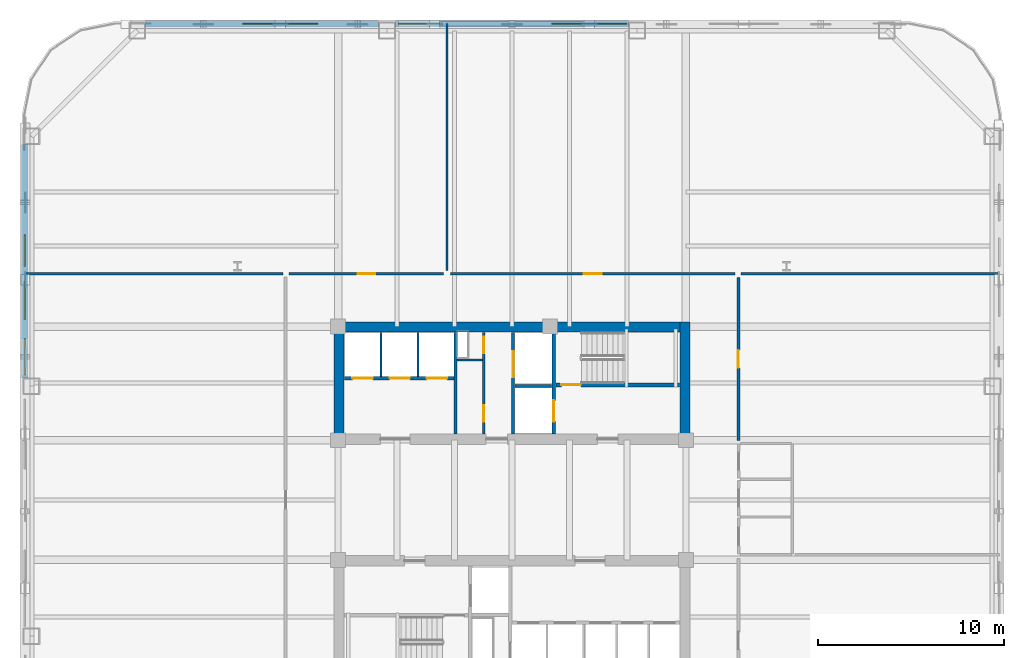
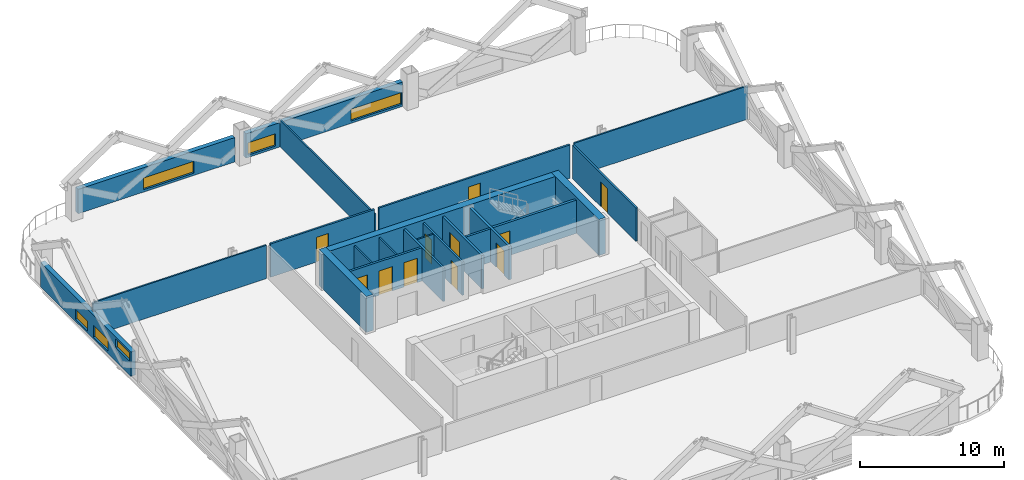
# One storey, part 6 of 13: 22 walls, 11 doors, 6 windows, 17 openings.
"""IFC4 building model written with IfcOpenShell, lengths in metres."""

from ifc_helpers import new_model, si_unit, direction, frame, frame_2d, origin, place, context, subcontext, project, spatial, rectangle, extrude, material, layer, layer_set, type_object, element, fill, save


model = new_model("IFC4")

# Units and contexts
model_context = context("Model", 3, precision=1e-05, world=origin(), true_north=direction((0.0, 1.0)))
body_context = subcontext(model_context, "Body", "Model", "MODEL_VIEW")
ifc_project = project(units=[si_unit("LENGTHUNIT", "METRE"), si_unit("AREAUNIT", "SQUARE_METRE"), si_unit("VOLUMEUNIT", "CUBIC_METRE"), si_unit("PLANEANGLEUNIT", "RADIAN"), si_unit("MASSUNIT", "GRAM", prefix="KILO")], contexts=[model_context])

# Site, building, storey
site_placement = place(None, origin())
site = spatial("IfcSite", under=ifc_project, at=site_placement, CompositionType="ELEMENT")
building_placement = place(site_placement, origin())
building = spatial("IfcBuilding", under=site, at=building_placement, Name="Qhalaya Broadcast Tower", CompositionType="ELEMENT")
storey_placement = place(building_placement, frame((0.0, 0.0, 32.199951171875)))
storey = spatial("IfcBuildingStorey", under=building, at=storey_placement, Name="L08", CompositionType="ELEMENT", Elevation=32.199951171875)

# Wall, openings, doors
ifc_material_1 = material(Name="Gypsum Acoustic Partition")
ifc_layer_1 = layer(ifc_material_1, 0.14990234375, Name="Gypsum Acoustic Partition")
ifc_layer_set_1 = layer_set([ifc_layer_1], Name="Gypsum Acoustic Partition")
wall_type_1 = type_object("IfcWallType", Name="Corridor & Tenancy Acoustic Partition 150", PredefinedType="PARTITIONING", material=ifc_layer_set_1)
wall_1_placement = place(storey_placement, frame((-1.52001953125, 4.169921875, 0.0), z_axis=(0.0, 0.0, 1.0), x_axis=(0.0, 1.0, 0.0)))
wall_1 = element("IfcWall", 1, at=wall_1_placement, inside=storey, type_object=wall_type_1, Name="L08 Partition Wall NCW-SVL", PredefinedType="PARTITIONING", context=body_context, shape_type="SweptSolid", body=[
    extrude(rectangle(XDim=5.4599609375, YDim=0.14990234375, at=frame_2d((2.72998046875, 0.0))), origin(), (0.0, 0.0, 1.0), 2.830078125),
])
opening_1_placement = place(wall_1_placement, frame((4.330078125, 0.0, 0.0)))
opening_1 = element("IfcOpeningElement", 2, at=opening_1_placement, cuts=wall_1, Name="Opening D06", PredefinedType="OPENING", context=body_context, shape_type="SweptSolid", body=[
    extrude(rectangle(XDim=0.89990234375, YDim=2.050048828125, at=frame_2d((0.449951171875, 1.02490234375))), frame((0.0, 0.0869140625, 0.0), z_axis=(0.0, -1.0, 0.0), x_axis=(1.0, 0.0, 0.0)), (0.0, 0.0, 1.0), 0.173828125),
])
opening_2_placement = place(wall_1_placement, frame((0.64990234375, 0.0, 0.0)))
opening_2 = element("IfcOpeningElement", 3, at=opening_2_placement, cuts=wall_1, Name="Opening D06", PredefinedType="OPENING", context=body_context, shape_type="SweptSolid", body=[
    extrude(rectangle(XDim=0.89990234375, YDim=2.050048828125, at=frame_2d((0.449951171875, 1.02490234375))), frame((0.0, 0.0869140625, 0.0), z_axis=(0.0, -1.0, 0.0), x_axis=(1.0, 0.0, 0.0)), (0.0, 0.0, 1.0), 0.173828125),
])
ifc_material_2 = material(Name="Fire-Rated Steel Door", Category="steel")
door_type_1 = type_object("IfcDoorType", Name="Riser & Electrical Shaft Access Door D06", OperationType="NOTDEFINED", PredefinedType="DOOR", material=ifc_material_2)
door_1_placement = place(opening_1_placement, origin())
door_1 = element("IfcDoor", 4, at=door_1_placement, inside=storey, type_object=door_type_1, Name="L08 Riser Shaft Access Door D-NRSR", OperationType="SINGLE_SWING_RIGHT", OverallHeight=2.050048828125, OverallWidth=0.89990234375, PredefinedType="DOOR", context=body_context, shape_type="SweptSolid", body=[
    extrude(rectangle(XDim=0.89990234375, YDim=2.050048828125, at=frame_2d((0.449951171875, 1.02490234375))), frame((0.0, 0.02490234375, 0.0), z_axis=(0.0, -1.0, 0.0), x_axis=(1.0, 0.0, 0.0)), (0.0, 0.0, 1.0), 0.050048828125),
])
fill(opening_1, door_1)
door_2_placement = place(opening_2_placement, origin())
door_2 = element("IfcDoor", 5, at=door_2_placement, inside=storey, type_object=door_type_1, Name="L08 Door D-NCST", OperationType="SINGLE_SWING_LEFT", OverallHeight=2.050048828125, OverallWidth=0.89990234375, PredefinedType="DOOR", context=body_context, shape_type="SweptSolid", body=[
    extrude(rectangle(XDim=0.89990234375, YDim=2.050048828125, at=frame_2d((0.449951171875, 1.02490234375))), frame((0.0, 0.02490234375, 0.0), z_axis=(0.0, -1.0, 0.0), x_axis=(1.0, 0.0, 0.0)), (0.0, 0.0, 1.0), 0.050048828125),
])
fill(opening_2, door_2)

# Wall, opening, door
wall_2_placement = place(storey_placement, frame((-12.02001953125, 12.800048828125, 0.0), z_axis=(0.0, 0.0, 1.0), x_axis=(1.0, 0.0, 0.0)))
wall_2 = element("IfcWall", 6, at=wall_2_placement, inside=storey, type_object=wall_type_1, Name="L08 Partition Wall W-COR-01", PredefinedType="PARTITIONING", context=body_context, shape_type="SweptSolid", body=[
    extrude(rectangle(XDim=8.340087890625, YDim=0.14990234375, at=frame_2d((4.169921875, 0.0))), origin(), (0.0, 0.0, 1.0), 2.830078125),
])
opening_3_placement = place(wall_2_placement, frame((3.695068359375, 0.0, 0.0)))
opening_3 = element("IfcOpeningElement", 7, at=opening_3_placement, cuts=wall_2, Name="Opening D10", PredefinedType="OPENING", context=body_context, shape_type="SweptSolid", body=[
    extrude(rectangle(XDim=0.949951171875, YDim=2.10009765625, at=frame_2d((0.47509765625, 1.050048828125))), frame((0.0, 0.0869140625, 0.0), z_axis=(0.0, -1.0, 0.0), x_axis=(1.0, 0.0, 0.0)), (0.0, 0.0, 1.0), 0.173828125),
])
ifc_material_3 = material(Name="Timber Veneer Acoustic Door", Category="wood")
door_type_2 = type_object("IfcDoorType", Name="Cellular Office & Edit Booth Door D10", OperationType="NOTDEFINED", PredefinedType="DOOR", material=ifc_material_3)
door_3_placement = place(opening_3_placement, origin())
door_3 = element("IfcDoor", 8, at=door_3_placement, inside=storey, type_object=door_type_2, Name="L08 Door D-RM01", OperationType="SINGLE_SWING_RIGHT", OverallHeight=2.10009765625, OverallWidth=0.949951171875, PredefinedType="DOOR", context=body_context, shape_type="SweptSolid", body=[
    extrude(rectangle(XDim=0.949951171875, YDim=2.10009765625, at=frame_2d((0.47509765625, 1.050048828125))), frame((0.0, 0.02490234375, 0.0), z_axis=(0.0, -1.0, 0.0), x_axis=(1.0, 0.0, 0.0)), (0.0, 0.0, 1.0), 0.050048828125),
])
fill(opening_3, door_3)

wall_3_placement = place(storey_placement, frame((-3.320068359375, 12.800048828125, 0.0), z_axis=(0.0, 0.0, 1.0), x_axis=(1.0, 0.0, 0.0)))
wall_3 = element("IfcWall", 9, at=wall_3_placement, inside=storey, type_object=wall_type_1, Name="L08 Partition Wall W-COR-02", PredefinedType="PARTITIONING", context=body_context, shape_type="SweptSolid", body=[
    extrude(rectangle(XDim=15.340087890625, YDim=0.14990234375, at=frame_2d((7.669921875, 0.0))), origin(), (0.0, 0.0, 1.0), 2.830078125),
])
opening_4_placement = place(wall_3_placement, frame((7.195068359375, 0.0, 0.0)))
opening_4 = element("IfcOpeningElement", 10, at=opening_4_placement, cuts=wall_3, Name="Opening D10", PredefinedType="OPENING", context=body_context, shape_type="SweptSolid", body=[
    extrude(rectangle(XDim=0.949951171875, YDim=2.10009765625, at=frame_2d((0.47509765625, 1.050048828125))), frame((0.0, 0.0869140625, 0.0), z_axis=(0.0, -1.0, 0.0), x_axis=(1.0, 0.0, 0.0)), (0.0, 0.0, 1.0), 0.173828125),
])
door_4_placement = place(opening_4_placement, origin())
door_4 = element("IfcDoor", 11, at=door_4_placement, inside=storey, type_object=door_type_2, Name="L08 Door D-RM02", OperationType="SINGLE_SWING_LEFT", OverallHeight=2.10009765625, OverallWidth=0.949951171875, PredefinedType="DOOR", context=body_context, shape_type="SweptSolid", body=[
    extrude(rectangle(XDim=0.949951171875, YDim=2.10009765625, at=frame_2d((0.47509765625, 1.050048828125))), frame((0.0, 0.02490234375, 0.0), z_axis=(0.0, -1.0, 0.0), x_axis=(1.0, 0.0, 0.0)), (0.0, 0.0, 1.0), 0.050048828125),
])
fill(opening_4, door_4)

wall_4_placement = place(storey_placement, frame((12.199951171875, 3.800048828125, 0.0), z_axis=(0.0, 0.0, 1.0), x_axis=(0.0, 1.0, 0.0)))
wall_4 = element("IfcWall", 12, at=wall_4_placement, inside=storey, type_object=wall_type_1, Name="L08 Partition Wall W-COR-06", PredefinedType="PARTITIONING", context=body_context, shape_type="SweptSolid", body=[
    extrude(rectangle(XDim=8.800048828125, YDim=0.14990234375, at=frame_2d((4.39990234375, 0.0))), origin(), (0.0, 0.0, 1.0), 2.830078125),
])
opening_5_placement = place(wall_4_placement, frame((3.925048828125, 0.0, 0.0)))
opening_5 = element("IfcOpeningElement", 13, at=opening_5_placement, cuts=wall_4, Name="Opening D10", PredefinedType="OPENING", context=body_context, shape_type="SweptSolid", body=[
    extrude(rectangle(XDim=0.949951171875, YDim=2.10009765625, at=frame_2d((0.47509765625, 1.050048828125))), frame((0.0, 0.0869140625, 0.0), z_axis=(0.0, -1.0, 0.0), x_axis=(1.0, 0.0, 0.0)), (0.0, 0.0, 1.0), 0.173828125),
])
door_5_placement = place(opening_5_placement, origin())
door_5 = element("IfcDoor", 14, at=door_5_placement, inside=storey, type_object=door_type_2, Name="L08 Door D-RM06", OperationType="SINGLE_SWING_LEFT", OverallHeight=2.10009765625, OverallWidth=0.949951171875, PredefinedType="DOOR", context=body_context, shape_type="SweptSolid", body=[
    extrude(rectangle(XDim=0.949951171875, YDim=2.10009765625, at=frame_2d((0.47509765625, 1.050048828125))), frame((0.0, 0.02490234375, 0.0), z_axis=(0.0, -1.0, 0.0), x_axis=(1.0, 0.0, 0.0)), (0.0, 0.0, 1.0), 0.050048828125),
])
fill(opening_5, door_5)

# Wall, opening, window
ifc_material_4 = material(Name="Precast Concrete C40/50", Category="concrete")
ifc_layer_2 = layer(ifc_material_4, 0.360107421875, Name="Precast Concrete C40/50")
ifc_layer_set_2 = layer_set([ifc_layer_2], Name="Precast Concrete C40/50")
wall_type_2 = type_object("IfcWallType", Name="Insulated Precast Terracotta Exterior Wall 360", PredefinedType="SOLIDWALL", material=ifc_layer_set_2)
wall_5_placement = place(storey_placement, frame((-19.761962890625, 26.260009765625, 0.0), z_axis=(0.0, 0.0, 1.0), x_axis=(1.0, 0.0, 0.0)))
wall_5 = element("IfcWall", 15, at=wall_5_placement, inside=storey, type_object=wall_type_2, Name="L08 Exoskeleton Diagrid Infill Wall N1", PredefinedType="SOLIDWALL", context=body_context, shape_type="SweptSolid", body=[
    extrude(rectangle(XDim=12.57861328125, YDim=0.360107421875, at=frame_2d((6.289306640625, 0.0))), origin(), (0.0, 0.0, 1.0), 2.067138671875),
])
opening_6_placement = place(wall_5_placement, frame((5.25, 0.0, 0.199951171875)))
opening_6 = element("IfcOpeningElement", 16, at=opening_6_placement, cuts=wall_5, Name="Opening W11", PredefinedType="OPENING", context=body_context, shape_type="SweptSolid", body=[
    extrude(rectangle(XDim=4.050048828125, YDim=1.0, at=frame_2d((2.02490234375, 0.5))), frame((0.0, 0.192138671875, 0.0), z_axis=(0.0, -1.0, 0.0), x_axis=(1.0, 0.0, 0.0)), (0.0, 0.0, 1.0), 0.384033203125),
])
ifc_material_5 = material(Name="Solar-Control Low-E Triple Glazing", Category="glass")
window_type = type_object("IfcWindowType", Name="Odd-Block Diagrid Infill Window W11", PartitioningType="SINGLE_PANEL", PredefinedType="WINDOW", material=ifc_material_5)
window_1_placement = place(opening_6_placement, origin())
window_1 = element("IfcWindow", 17, at=window_1_placement, inside=storey, type_object=window_type, Name="L08 Diagrid Infill Window W11-N1", OverallHeight=1.0, OverallWidth=4.050048828125, PartitioningType="SINGLE_PANEL", PredefinedType="WINDOW", context=body_context, shape_type="SweptSolid", body=[
    extrude(rectangle(XDim=4.050048828125, YDim=1.0, at=frame_2d((2.02490234375, 0.5))), frame((0.0, 0.030029296875, 0.0), z_axis=(0.0, -1.0, 0.0), x_axis=(1.0, 0.0, 0.0)), (0.0, 0.0, 1.0), 0.06005859375),
])
fill(opening_6, window_1)

# Wall, openings, windows
wall_6_placement = place(storey_placement, frame((-6.283203125, 26.260009765625, 0.0), z_axis=(0.0, 0.0, 1.0), x_axis=(1.0, 0.0, 0.0)))
wall_6 = element("IfcWall", 18, at=wall_6_placement, inside=storey, type_object=wall_type_2, Name="L08 Exoskeleton Diagrid Infill Wall N2", PredefinedType="SOLIDWALL", context=body_context, shape_type="SweptSolid", body=[
    extrude(rectangle(XDim=12.56640625, YDim=0.360107421875, at=frame_2d((6.283203125, 0.0))), origin(), (0.0, 0.0, 1.0), 2.067138671875),
])
opening_7_placement = place(wall_6_placement, frame((0.1708984375, 0.0, 0.199951171875)))
opening_7 = element("IfcOpeningElement", 19, at=opening_7_placement, cuts=wall_6, Name="Opening W11", PredefinedType="OPENING", context=body_context, shape_type="SweptSolid", body=[
    extrude(rectangle(XDim=2.199951171875, YDim=1.050048828125, at=frame_2d((1.10009765625, 0.52490234375))), frame((0.0, 0.192138671875, 0.0), z_axis=(0.0, -1.0, 0.0), x_axis=(1.0, 0.0, 0.0)), (0.0, 0.0, 1.0), 0.384033203125),
])
opening_8_placement = place(wall_6_placement, frame((8.4208984375, 0.0, 0.199951171875)))
opening_8 = element("IfcOpeningElement", 20, at=opening_8_placement, cuts=wall_6, Name="Opening W11", PredefinedType="OPENING", context=body_context, shape_type="SweptSolid", body=[
    extrude(rectangle(XDim=4.050048828125, YDim=1.0, at=frame_2d((2.02490234375, 0.5))), frame((0.0, 0.192138671875, 0.0), z_axis=(0.0, -1.0, 0.0), x_axis=(1.0, 0.0, 0.0)), (0.0, 0.0, 1.0), 0.384033203125),
])
window_2_placement = place(opening_7_placement, origin())
window_2 = element("IfcWindow", 21, at=window_2_placement, inside=storey, type_object=window_type, Name="L08 Diagrid Infill Window W11-N2", OverallHeight=1.050048828125, OverallWidth=2.199951171875, PartitioningType="SINGLE_PANEL", PredefinedType="WINDOW", context=body_context, shape_type="SweptSolid", body=[
    extrude(rectangle(XDim=2.199951171875, YDim=1.050048828125, at=frame_2d((1.10009765625, 0.52490234375))), frame((0.0, 0.030029296875, 0.0), z_axis=(0.0, -1.0, 0.0), x_axis=(1.0, 0.0, 0.0)), (0.0, 0.0, 1.0), 0.06005859375),
])
fill(opening_7, window_2)
window_3_placement = place(opening_8_placement, origin())
window_3 = element("IfcWindow", 22, at=window_3_placement, inside=storey, type_object=window_type, Name="L08 Diagrid Infill Window W11-N3", OverallHeight=1.0, OverallWidth=4.050048828125, PartitioningType="SINGLE_PANEL", PredefinedType="WINDOW", context=body_context, shape_type="SweptSolid", body=[
    extrude(rectangle(XDim=4.050048828125, YDim=1.0, at=frame_2d((2.02490234375, 0.5))), frame((0.0, 0.030029296875, 0.0), z_axis=(0.0, -1.0, 0.0), x_axis=(1.0, 0.0, 0.0)), (0.0, 0.0, 1.0), 0.06005859375),
])
fill(opening_8, window_3)

wall_7_placement = place(storey_placement, frame((-26.260009765625, 7.183349609375, 0.0), z_axis=(0.0, 0.0, 1.0), x_axis=(0.0, 1.0, 0.0)))
wall_7 = element("IfcWall", 23, at=wall_7_placement, inside=storey, type_object=wall_type_2, Name="L08 Exoskeleton Diagrid Infill Wall W3", PredefinedType="SOLIDWALL", context=body_context, shape_type="SweptSolid", body=[
    extrude(rectangle(XDim=12.57861328125, YDim=0.360107421875, at=frame_2d((6.289306640625, 0.0))), origin(), (0.0, 0.0, 1.0), 2.067138671875),
])
opening_9_placement = place(wall_7_placement, frame((0.155029296875, 0.0, 1.199951171875)))
opening_9 = element("IfcOpeningElement", 24, at=opening_9_placement, cuts=wall_7, Name="Opening W11", PredefinedType="OPENING", context=body_context, shape_type="SweptSolid", body=[
    extrude(rectangle(XDim=1.949951171875, YDim=0.699951171875, at=frame_2d((0.97509765625, 0.35009765625))), frame((0.0, 0.192138671875, 0.0), z_axis=(0.0, -1.0, 0.0), x_axis=(1.0, 0.0, 0.0)), (0.0, 0.0, 1.0), 0.384033203125),
])
opening_10_placement = place(wall_7_placement, frame((3.155029296875, 0.0, 0.199951171875)))
opening_10 = element("IfcOpeningElement", 25, at=opening_10_placement, cuts=wall_7, Name="Opening W11", PredefinedType="OPENING", context=body_context, shape_type="SweptSolid", body=[
    extrude(rectangle(XDim=2.050048828125, YDim=1.0, at=frame_2d((1.02490234375, 0.5))), frame((0.0, 0.192138671875, 0.0), z_axis=(0.0, -1.0, 0.0), x_axis=(1.0, 0.0, 0.0)), (0.0, 0.0, 1.0), 0.384033203125),
])
opening_11_placement = place(wall_7_placement, frame((6.0048828125, 0.0, 0.199951171875)))
opening_11 = element("IfcOpeningElement", 26, at=opening_11_placement, cuts=wall_7, Name="Opening W11", PredefinedType="OPENING", context=body_context, shape_type="SweptSolid", body=[
    extrude(rectangle(XDim=1.699951171875, YDim=0.85009765625, at=frame_2d((0.85009765625, 0.425048828125))), frame((0.0, 0.192138671875, 0.0), z_axis=(0.0, -1.0, 0.0), x_axis=(1.0, 0.0, 0.0)), (0.0, 0.0, 1.0), 0.384033203125),
])
window_4_placement = place(opening_9_placement, origin())
window_4 = element("IfcWindow", 27, at=window_4_placement, inside=storey, type_object=window_type, Name="L08 Diagrid Infill Window W11-W5", OverallHeight=0.699951171875, OverallWidth=1.949951171875, PartitioningType="SINGLE_PANEL", PredefinedType="WINDOW", context=body_context, shape_type="SweptSolid", body=[
    extrude(rectangle(XDim=1.949951171875, YDim=0.699951171875, at=frame_2d((0.97509765625, 0.35009765625))), frame((0.0, 0.030029296875, 0.0), z_axis=(0.0, -1.0, 0.0), x_axis=(1.0, 0.0, 0.0)), (0.0, 0.0, 1.0), 0.06005859375),
])
fill(opening_9, window_4)
window_5_placement = place(opening_10_placement, origin())
window_5 = element("IfcWindow", 28, at=window_5_placement, inside=storey, type_object=window_type, Name="L08 Diagrid Infill Window W11-W6", OverallHeight=1.0, OverallWidth=2.050048828125, PartitioningType="SINGLE_PANEL", PredefinedType="WINDOW", context=body_context, shape_type="SweptSolid", body=[
    extrude(rectangle(XDim=2.050048828125, YDim=1.0, at=frame_2d((1.02490234375, 0.5))), frame((0.0, 0.030029296875, 0.0), z_axis=(0.0, -1.0, 0.0), x_axis=(1.0, 0.0, 0.0)), (0.0, 0.0, 1.0), 0.06005859375),
])
fill(opening_10, window_5)
window_6_placement = place(opening_11_placement, origin())
window_6 = element("IfcWindow", 29, at=window_6_placement, inside=storey, type_object=window_type, Name="L08 Diagrid Infill Window W11-W7", OverallHeight=0.85009765625, OverallWidth=1.699951171875, PartitioningType="SINGLE_PANEL", PredefinedType="WINDOW", context=body_context, shape_type="SweptSolid", body=[
    extrude(rectangle(XDim=1.699951171875, YDim=0.85009765625, at=frame_2d((0.85009765625, 0.425048828125))), frame((0.0, 0.030029296875, 0.0), z_axis=(0.0, -1.0, 0.0), x_axis=(1.0, 0.0, 0.0)), (0.0, 0.0, 1.0), 0.06005859375),
])
fill(opening_11, window_6)

# Wall, opening, door
ifc_material_6 = material(Name="Concrete C50/60", Category="concrete")
ifc_layer_3 = layer(ifc_material_6, 0.199951171875, Name="Concrete C50/60")
ifc_layer_set_3 = layer_set([ifc_layer_3], Name="Concrete C50/60")
wall_type_3 = type_object("IfcWallType", Name="Load-Bearing Stair Shaft Wall 200", PredefinedType="SHEAR", material=ifc_layer_set_3)
wall_8_placement = place(storey_placement, frame((2.360107421875, 6.804931640625, 0.0), z_axis=(0.0, 0.0, 1.0), x_axis=(1.0, 0.0, 0.0)))
wall_8 = element("IfcWall", 30, at=wall_8_placement, inside=storey, type_object=wall_type_3, Name="L08 Stair Core Shear Wall NCW-ST1", PredefinedType="SHEAR", context=body_context, shape_type="SweptSolid", body=[
    extrude(rectangle(XDim=6.669921875, YDim=0.199951171875, at=frame_2d((3.3349609375, 0.0))), origin(), (0.0, 0.0, 1.0), 2.830078125),
])
opening_12_placement = place(wall_8_placement, frame((0.300048828125, 0.0, 0.0)))
opening_12 = element("IfcOpeningElement", 31, at=opening_12_placement, cuts=wall_8, Name="Opening D03", PredefinedType="OPENING", context=body_context, shape_type="SweptSolid", body=[
    extrude(rectangle(XDim=1.050048828125, YDim=2.080078125, at=frame_2d((0.52490234375, 1.0400390625))), frame((0.0, 0.112060546875, 0.0), z_axis=(0.0, -1.0, 0.0), x_axis=(1.0, 0.0, 0.0)), (0.0, 0.0, 1.0), 0.223876953125),
])
door_type_3 = type_object("IfcDoorType", Name="Core Stair Protected Fire Door D03", OperationType="NOTDEFINED", PredefinedType="DOOR", material=ifc_material_2)
door_6_placement = place(opening_12_placement, origin())
door_6 = element("IfcDoor", 32, at=door_6_placement, inside=storey, type_object=door_type_3, Name="L08 Door D-NST1", OperationType="SINGLE_SWING_LEFT", OverallHeight=2.080078125, OverallWidth=1.050048828125, PredefinedType="DOOR", context=body_context, shape_type="SweptSolid", body=[
    extrude(rectangle(XDim=1.050048828125, YDim=2.080078125, at=frame_2d((0.52490234375, 1.0400390625))), frame((0.0, 0.02490234375, 0.0), z_axis=(0.0, -1.0, 0.0), x_axis=(1.0, 0.0, 0.0)), (0.0, 0.0, 1.0), 0.050048828125),
])
fill(opening_12, door_6)

wall_9_placement = place(storey_placement, frame((2.25, 4.169921875, 0.0), z_axis=(0.0, 0.0, 1.0), x_axis=(0.0, 1.0, 0.0)))
wall_9 = element("IfcWall", 33, at=wall_9_placement, inside=storey, type_object=wall_type_3, Name="L08 Stair Core Shear Wall NCW-FF", PredefinedType="SHEAR", context=body_context, shape_type="SweptSolid", body=[
    extrude(rectangle(XDim=5.4599609375, YDim=0.199951171875, at=frame_2d((2.72998046875, 0.0))), origin(), (0.0, 0.0, 1.0), 2.830078125),
])
opening_13_placement = place(wall_9_placement, frame((0.64990234375, 0.0, 0.0)))
opening_13 = element("IfcOpeningElement", 34, at=opening_13_placement, cuts=wall_9, Name="Opening LD2", PredefinedType="OPENING", context=body_context, shape_type="SweptSolid", body=[
    extrude(rectangle(XDim=1.14990234375, YDim=2.080078125, at=frame_2d((0.574951171875, 1.0400390625))), frame((0.0, 0.112060546875, 0.0), z_axis=(0.0, -1.0, 0.0), x_axis=(1.0, 0.0, 0.0)), (0.0, 0.0, 1.0), 0.223876953125),
])
ifc_material_7 = material(Name="Brushed Stainless Steel Lift Door", Category="steel")
door_type_4 = type_object("IfcDoorType", Name="Firefighting Lift Sliding Landing Door LD2", OperationType="DOUBLE_DOOR_SLIDING", PredefinedType="DOOR", material=ifc_material_7)
door_7_placement = place(opening_13_placement, origin())
door_7 = element("IfcDoor", 35, at=door_7_placement, inside=storey, type_object=door_type_4, Name="L08 Door LD-FF1", OperationType="DOUBLE_DOOR_SLIDING", OverallHeight=2.080078125, OverallWidth=1.14990234375, PredefinedType="DOOR", context=body_context, shape_type="SweptSolid", body=[
    extrude(rectangle(XDim=1.14990234375, YDim=2.080078125, at=frame_2d((0.574951171875, 1.0400390625))), frame((0.0, 0.02490234375, 0.0), z_axis=(0.0, -1.0, 0.0), x_axis=(1.0, 0.0, 0.0)), (0.0, 0.0, 1.0), 0.050048828125),
])
fill(opening_13, door_7)

# Walls
ifc_material_8 = material(Name="Concrete C60/75", Category="concrete")
ifc_layer_4 = layer(ifc_material_8, 0.550048828125, Name="Concrete C60/75")
ifc_layer_set_4 = layer_set([ifc_layer_4], Name="Concrete C60/75")
wall_type_4 = type_object("IfcWallType", Name="Lower Split-Core Shear Wall 550", PredefinedType="SHEAR", material=ifc_layer_set_4)
wall_10_placement = place(storey_placement, frame((-9.60009765625, 9.925048828125, 0.0), z_axis=(0.0, 0.0, 1.0), x_axis=(1.0, 0.0, 0.0)))
element("IfcWall", 36, at=wall_10_placement, inside=storey, type_object=wall_type_4, Name="L08 Split-Core Shear Wall CW-NN", PredefinedType="SHEAR", context=body_context, shape_type="SweptSolid", body=[
    extrude(rectangle(XDim=19.2001953125, YDim=0.550048828125, at=frame_2d((9.60009765625, 0.0))), origin(), (0.0, 0.0, 1.0), 3.050048828125),
])
for number, where, z_axis, x_axis, name in (
    (37, (-9.324951171875, 3.60009765625, 0.0), (0.0, 0.0, 1.0), (0.0, 1.0, 0.0), "L08 Split-Core Shear Wall CW-NW"),
    (38, (9.324951171875, 3.60009765625, 0.0), (0.0, 0.0, 1.0), (0.0, 1.0, 0.0), "L08 Split-Core Shear Wall CW-NE"),
):
    element("IfcWall", number, at=place(storey_placement, frame(where, z_axis=z_axis, x_axis=x_axis)), inside=storey, type_object=wall_type_4, Name=name, PredefinedType="SHEAR", context=body_context, shape_type="SweptSolid", body=[
        extrude(rectangle(XDim=6.599853515625, YDim=0.550048828125, at=frame_2d((3.2998046875, 0.0))), origin(), (0.0, 0.0, 1.0), 3.050048828125),
    ])
ifc_layer_5 = layer(ifc_material_1, 0.1201171875, Name="Gypsum Acoustic Partition")
ifc_layer_set_5 = layer_set([ifc_layer_5], Name="Gypsum Acoustic Partition")
wall_type_5 = type_object("IfcWallType", Name="Office, Booth & Sanitary Partition 120", PredefinedType="PARTITIONING", material=ifc_layer_set_5)
wall_11_placement = place(storey_placement, frame((-2.9599609375, 8.14990234375, 0.0), z_axis=(0.0, 0.0, 1.0), x_axis=(1.0, 0.0, 0.0)))
element("IfcWall", 39, at=wall_11_placement, inside=storey, type_object=wall_type_5, Name="L08 Partition Wall NCW-VA", PredefinedType="PARTITIONING", context=body_context, shape_type="SweptSolid", body=[
    extrude(rectangle(XDim=1.35986328125, YDim=0.1201171875, at=frame_2d((0.679931640625, 0.0))), origin(), (0.0, 0.0, 1.0), 2.830078125),
])
for number, where, z_axis, x_axis, name in (
    (40, (-7.06005859375, 7.25, 0.0), (0.0, 0.0, 1.0), (0.0, 1.0, 0.0), "L08 Partition Wall NCW-PD1"),
    (41, (-5.06005859375, 7.25, 0.0), (0.0, 0.0, 1.0), (0.0, 1.0, 0.0), "L08 Partition Wall NCW-PD2"),
):
    element("IfcWall", number, at=place(storey_placement, frame(where, z_axis=z_axis, x_axis=x_axis)), inside=storey, type_object=wall_type_5, Name=name, PredefinedType="PARTITIONING", context=body_context, shape_type="SweptSolid", body=[
        extrude(rectangle(XDim=2.3798828125, YDim=0.1201171875, at=frame_2d((1.18994140625, 0.0))), origin(), (0.0, 0.0, 1.0), 2.830078125),
    ])
for number, where, z_axis, x_axis, name in (
    (42, (-26.280029296875, 12.800048828125, 0.0), (0.0, 0.0, 1.0), (1.0, 0.0, 0.0), "L08 Partition Wall W-BNDW1"),
    (43, (12.340087890625, 12.800048828125, 0.0), (0.0, 0.0, 1.0), (1.0, 0.0, 0.0), "L08 Partition Wall W-BNDE1"),
):
    element("IfcWall", number, at=place(storey_placement, frame(where, z_axis=z_axis, x_axis=x_axis)), inside=storey, type_object=wall_type_5, Name=name, PredefinedType="PARTITIONING", context=body_context, shape_type="SweptSolid", body=[
        extrude(rectangle(XDim=13.93994140625, YDim=0.1201171875, at=frame_2d((6.969970703125, 0.0))), origin(), (0.0, 0.0, 1.0), 2.830078125),
    ])
wall_12_placement = place(storey_placement, frame((-3.5, 12.9599609375, 0.0), z_axis=(0.0, 0.0, 1.0), x_axis=(0.0, 1.0, 0.0)))
element("IfcWall", 44, at=wall_12_placement, inside=storey, type_object=wall_type_5, Name="L08 Partition Wall W-DIVN1", PredefinedType="PARTITIONING", context=body_context, shape_type="SweptSolid", body=[
    extrude(rectangle(XDim=13.320068359375, YDim=0.1201171875, at=frame_2d((6.66015625, 0.0))), origin(), (0.0, 0.0, 1.0), 2.274169921875),
])

# Wall, opening, door
ifc_layer_6 = layer(ifc_material_1, 0.175048828125, Name="Gypsum Acoustic Partition")
ifc_layer_set_6 = layer_set([ifc_layer_6], Name="Gypsum Acoustic Partition")
wall_type_6 = type_object("IfcWallType", Name="Shaft & Riser Fire Partition 175", PredefinedType="PARTITIONING", material=ifc_layer_set_6)
wall_13_placement = place(storey_placement, frame((0.06005859375, 4.169921875, 0.0), z_axis=(0.0, 0.0, 1.0), x_axis=(0.0, 1.0, 0.0)))
wall_13 = element("IfcWall", 45, at=wall_13_placement, inside=storey, type_object=wall_type_6, Name="L08 Partition Wall NCW-SVW", PredefinedType="PARTITIONING", context=body_context, shape_type="SweptSolid", body=[
    extrude(rectangle(XDim=5.4599609375, YDim=0.175048828125, at=frame_2d((2.72998046875, 0.0))), origin(), (0.0, 0.0, 1.0), 2.830078125),
])
opening_14_placement = place(wall_13_placement, frame((3.050048828125, 0.0, 0.0)))
opening_14 = element("IfcOpeningElement", 46, at=opening_14_placement, cuts=wall_13, Name="Opening LD3", PredefinedType="OPENING", context=body_context, shape_type="SweptSolid", body=[
    extrude(rectangle(XDim=1.39990234375, YDim=2.1201171875, at=frame_2d((0.699951171875, 1.06005859375))), frame((0.0, 0.099609375, 0.0), z_axis=(0.0, -1.0, 0.0), x_axis=(1.0, 0.0, 0.0)), (0.0, 0.0, 1.0), 0.198974609375),
])
door_type_5 = type_object("IfcDoorType", Name="Service Lift Wide Sliding Landing Door LD3", OperationType="DOUBLE_DOOR_SLIDING", PredefinedType="DOOR", material=ifc_material_7)
door_8_placement = place(opening_14_placement, origin())
door_8 = element("IfcDoor", 47, at=door_8_placement, inside=storey, type_object=door_type_5, Name="L08 Door LD-SV1", OperationType="DOUBLE_DOOR_SLIDING", OverallHeight=2.1201171875, OverallWidth=1.39990234375, PredefinedType="DOOR", context=body_context, shape_type="SweptSolid", body=[
    extrude(rectangle(XDim=1.39990234375, YDim=2.1201171875, at=frame_2d((0.699951171875, 1.06005859375))), frame((0.0, 0.02490234375, 0.0), z_axis=(0.0, -1.0, 0.0), x_axis=(1.0, 0.0, 0.0)), (0.0, 0.0, 1.0), 0.050048828125),
])
fill(opening_14, door_8)

# Walls
wall_14_placement = place(storey_placement, frame((0.159912109375, 6.75, 0.0), z_axis=(0.0, 0.0, 1.0), x_axis=(1.0, 0.0, 0.0)))
element("IfcWall", 48, at=wall_14_placement, inside=storey, type_object=wall_type_6, Name="L08 Partition Wall NCW-SVM", PredefinedType="PARTITIONING", context=body_context, shape_type="SweptSolid", body=[
    extrude(rectangle(XDim=1.97998046875, YDim=0.175048828125, at=frame_2d((0.989990234375, 0.0))), origin(), (0.0, 0.0, 1.0), 2.830078125),
])
wall_15_placement = place(storey_placement, frame((-3.0400390625, 4.169921875, 0.0), z_axis=(0.0, 0.0, 1.0), x_axis=(0.0, 1.0, 0.0)))
element("IfcWall", 49, at=wall_15_placement, inside=storey, type_object=wall_type_6, Name="L08 Partition Wall NCW-VRW", PredefinedType="PARTITIONING", context=body_context, shape_type="SweptSolid", body=[
    extrude(rectangle(XDim=5.4599609375, YDim=0.175048828125, at=frame_2d((2.72998046875, 0.0))), origin(), (0.0, 0.0, 1.0), 2.830078125),
])

# Wall, openings, doors
wall_16_placement = place(storey_placement, frame((-9.030029296875, 7.159912109375, 0.0), z_axis=(0.0, 0.0, 1.0), x_axis=(1.0, 0.0, 0.0)))
wall_16 = element("IfcWall", 50, at=wall_16_placement, inside=storey, type_object=wall_type_6, Name="L08 Partition Wall NCW-PLB", PredefinedType="PARTITIONING", context=body_context, shape_type="SweptSolid", body=[
    extrude(rectangle(XDim=5.909912109375, YDim=0.175048828125, at=frame_2d((2.955078125, 0.0))), origin(), (0.0, 0.0, 1.0), 2.830078125),
])
opening_15_placement = place(wall_16_placement, frame((0.429931640625, 0.0, 0.0)))
opening_15 = element("IfcOpeningElement", 51, at=opening_15_placement, cuts=wall_16, Name="Opening LD1", PredefinedType="OPENING", context=body_context, shape_type="SweptSolid", body=[
    extrude(rectangle(XDim=1.10009765625, YDim=2.06005859375, at=frame_2d((0.550048828125, 1.030029296875))), frame((0.0, 0.099609375, 0.0), z_axis=(0.0, -1.0, 0.0), x_axis=(1.0, 0.0, 0.0)), (0.0, 0.0, 1.0), 0.198974609375),
])
opening_16_placement = place(wall_16_placement, frame((2.429931640625, 0.0, 0.0)))
opening_16 = element("IfcOpeningElement", 52, at=opening_16_placement, cuts=wall_16, Name="Opening LD1", PredefinedType="OPENING", context=body_context, shape_type="SweptSolid", body=[
    extrude(rectangle(XDim=1.10009765625, YDim=2.06005859375, at=frame_2d((0.550048828125, 1.030029296875))), frame((0.0, 0.099609375, 0.0), z_axis=(0.0, -1.0, 0.0), x_axis=(1.0, 0.0, 0.0)), (0.0, 0.0, 1.0), 0.198974609375),
])
opening_17_placement = place(wall_16_placement, frame((4.429931640625, 0.0, 0.0)))
opening_17 = element("IfcOpeningElement", 53, at=opening_17_placement, cuts=wall_16, Name="Opening LD1", PredefinedType="OPENING", context=body_context, shape_type="SweptSolid", body=[
    extrude(rectangle(XDim=1.10009765625, YDim=2.06005859375, at=frame_2d((0.550048828125, 1.030029296875))), frame((0.0, 0.099609375, 0.0), z_axis=(0.0, -1.0, 0.0), x_axis=(1.0, 0.0, 0.0)), (0.0, 0.0, 1.0), 0.198974609375),
])
door_type_6 = type_object("IfcDoorType", Name="Passenger Lift Sliding Landing Door LD1", OperationType="DOUBLE_DOOR_SLIDING", PredefinedType="DOOR", material=ifc_material_7)
door_9_placement = place(opening_15_placement, origin())
door_9 = element("IfcDoor", 54, at=door_9_placement, inside=storey, type_object=door_type_6, Name="L08 Door LD-P1", OperationType="DOUBLE_DOOR_SLIDING", OverallHeight=2.06005859375, OverallWidth=1.10009765625, PredefinedType="DOOR", context=body_context, shape_type="SweptSolid", body=[
    extrude(rectangle(XDim=1.10009765625, YDim=2.06005859375, at=frame_2d((0.550048828125, 1.030029296875))), frame((0.0, 0.02490234375, 0.0), z_axis=(0.0, -1.0, 0.0), x_axis=(1.0, 0.0, 0.0)), (0.0, 0.0, 1.0), 0.050048828125),
])
fill(opening_15, door_9)
door_10_placement = place(opening_16_placement, origin())
door_10 = element("IfcDoor", 55, at=door_10_placement, inside=storey, type_object=door_type_6, Name="L08 Door LD-P2", OperationType="DOUBLE_DOOR_SLIDING", OverallHeight=2.06005859375, OverallWidth=1.10009765625, PredefinedType="DOOR", context=body_context, shape_type="SweptSolid", body=[
    extrude(rectangle(XDim=1.10009765625, YDim=2.06005859375, at=frame_2d((0.550048828125, 1.030029296875))), frame((0.0, 0.02490234375, 0.0), z_axis=(0.0, -1.0, 0.0), x_axis=(1.0, 0.0, 0.0)), (0.0, 0.0, 1.0), 0.050048828125),
])
fill(opening_16, door_10)
door_11_placement = place(opening_17_placement, origin())
door_11 = element("IfcDoor", 56, at=door_11_placement, inside=storey, type_object=door_type_6, Name="L08 Door LD-P3", OperationType="DOUBLE_DOOR_SLIDING", OverallHeight=2.06005859375, OverallWidth=1.10009765625, PredefinedType="DOOR", context=body_context, shape_type="SweptSolid", body=[
    extrude(rectangle(XDim=1.10009765625, YDim=2.06005859375, at=frame_2d((0.550048828125, 1.030029296875))), frame((0.0, 0.02490234375, 0.0), z_axis=(0.0, -1.0, 0.0), x_axis=(1.0, 0.0, 0.0)), (0.0, 0.0, 1.0), 0.050048828125),
])
fill(opening_17, door_11)

save(model, "model.ifc")
